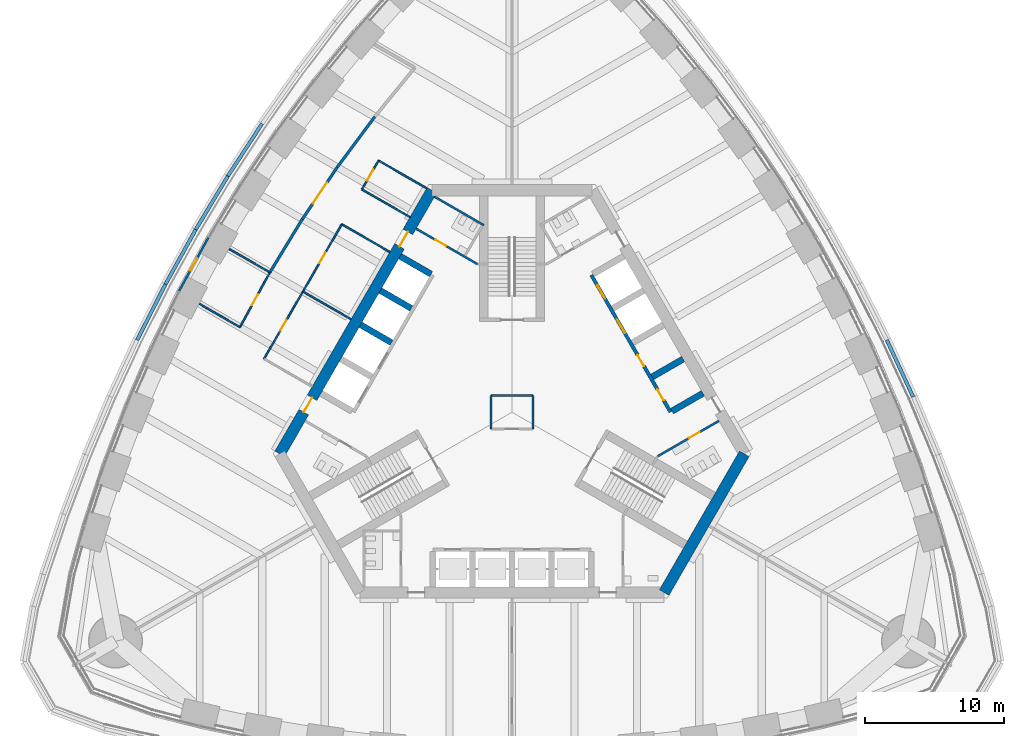
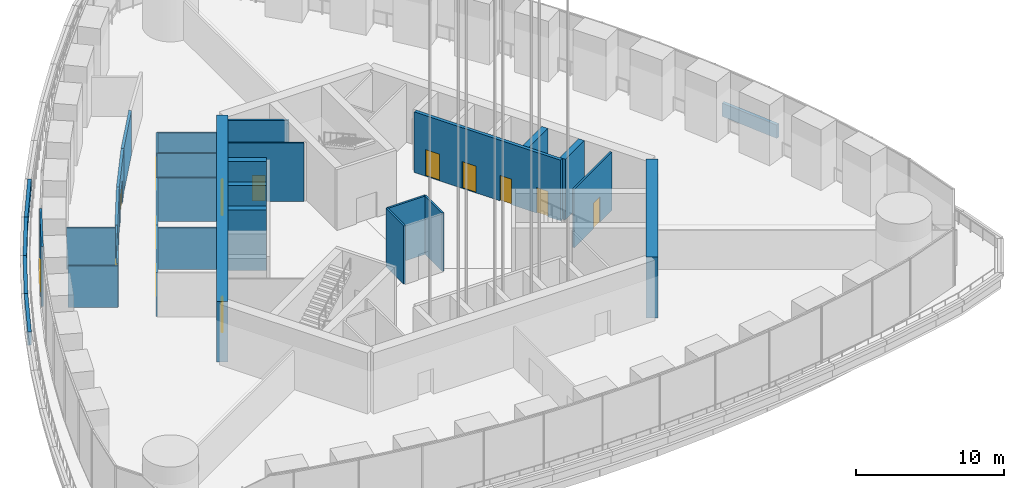
# One storey, part 14 of 31: 33 walls, 14 doors, 14 openings.
"""IFC4 building model written with IfcOpenShell, lengths in metres."""

from ifc_helpers import new_model, si_unit, direction, frame, frame_2d, origin, place, context, subcontext, project, spatial, rectangle, extrude, material, layer, layer_set, type_object, element, fill, save


model = new_model("IFC4")

# Units and contexts
model_context = context("Model", 3, precision=1e-05, world=origin(), true_north=direction((0.0, 1.0)))
body_context = subcontext(model_context, "Body", "Model", "MODEL_VIEW")
ifc_project = project(units=[si_unit("LENGTHUNIT", "METRE"), si_unit("AREAUNIT", "SQUARE_METRE"), si_unit("VOLUMEUNIT", "CUBIC_METRE"), si_unit("PLANEANGLEUNIT", "RADIAN"), si_unit("MASSUNIT", "GRAM", prefix="KILO")], contexts=[model_context])

# Site, building, storey
site_placement = place(None, origin())
site = spatial("IfcSite", under=ifc_project, at=site_placement, CompositionType="ELEMENT")
building_placement = place(site_placement, origin())
building = spatial("IfcBuilding", under=site, at=building_placement, Name="Trefoil Bronze Tower", CompositionType="ELEMENT")
storey_placement = place(building_placement, frame((0.0, 0.0, 184.699951171875)))
storey = spatial("IfcBuildingStorey", under=building, at=storey_placement, Name="L42", CompositionType="ELEMENT", Elevation=184.699951171875)

# Walls
ifc_material_1 = material(Name="Gypsum board on steel studs", Category="steel")
ifc_layer_1 = layer(ifc_material_1, 0.199951171875)
ifc_layer_set_1 = layer_set([ifc_layer_1], Name="Acoustic partition 200")
wall_type_1 = type_object("IfcWallType", Name="Acoustic partition 200", PredefinedType="PARTITIONING", material=ifc_layer_set_1)
wall_1_placement = place(storey_placement, frame((-9.8916015625, 21.29931640625, 0.0), z_axis=(0.0, 0.0, 1.0), x_axis=(-0.596173167565, -0.802855873912, 0.0)))
element("IfcWall", 1, at=wall_1_placement, inside=storey, type_object=wall_type_1, Name="Partition F3 L42", PredefinedType="PARTITIONING", context=body_context, shape_type="SweptSolid", body=[
    extrude(rectangle(XDim=4.530029296875, YDim=0.199951171875, at=frame_2d((2.26513671875, 0.0))), origin(), (0.0, 0.0, 1.0), 3.60009765625),
])
wall_2_placement = place(storey_placement, frame((-15.111328125, 13.920654296875, 0.0), z_axis=(0.0, 0.0, 1.0), x_axis=(-0.519790350351, -0.85429385558, 0.0)))
element("IfcWall", 2, at=wall_2_placement, inside=storey, type_object=wall_type_1, Name="Partition F3 L42", PredefinedType="PARTITIONING", context=body_context, shape_type="SweptSolid", body=[
    extrude(rectangle(XDim=4.5009765625, YDim=0.199951171875, at=frame_2d((2.25048828125, 0.0))), origin(), (0.0, 0.0, 1.0), 3.60009765625),
])

# Wall, opening, door
wall_3_placement = place(storey_placement, frame((-12.59228515625, 17.662353515625, 0.0), z_axis=(0.0, 0.0, 1.0), x_axis=(-0.558466624917, -0.829526991034, 0.0)))
wall_3 = element("IfcWall", 3, at=wall_3_placement, inside=storey, type_object=wall_type_1, Name="Partition F3 L42", PredefinedType="PARTITIONING", context=body_context, shape_type="SweptSolid", body=[
    extrude(rectangle(XDim=4.5107421875, YDim=0.199951171875, at=frame_2d((2.25537109375, 0.0))), origin(), (0.0, 0.0, 1.0), 3.60009765625),
])
opening_1_placement = place(wall_3_placement, frame((1.35009765625, 0.0, 0.0)))
opening_1 = element("IfcOpeningElement", 4, at=opening_1_placement, cuts=wall_3, Name="Opening D10", PredefinedType="OPENING", context=body_context, shape_type="SweptSolid", body=[
    extrude(rectangle(XDim=1.800048828125, YDim=2.10009765625, at=frame_2d((0.89990234375, 1.050048828125))), frame((0.0, 0.10986328125, 0.0), z_axis=(0.0, -1.0, 0.0), x_axis=(1.0, 0.0, 0.0)), (0.0, 0.0, 1.0), 0.219970703125),
])
ifc_material_2 = material(Name="Timber door", Category="wood")
door_type_1 = type_object("IfcDoorType", Name="Double door 1800", OperationType="DOUBLE_DOOR_SINGLE_SWING", PredefinedType="DOOR", material=ifc_material_2)
door_1_placement = place(opening_1_placement, origin())
door_1 = element("IfcDoor", 5, at=door_1_placement, inside=storey, type_object=door_type_1, Name="Studio door F3 L42", OperationType="DOUBLE_DOOR_SINGLE_SWING", OverallHeight=2.10009765625, OverallWidth=1.800048828125, PredefinedType="DOOR", context=body_context, shape_type="SweptSolid", body=[
    extrude(rectangle(XDim=1.800048828125, YDim=2.10009765625, at=frame_2d((0.89990234375, 1.050048828125))), frame((0.0, 0.02490234375, 0.0), z_axis=(0.0, -1.0, 0.0), x_axis=(1.0, 0.0, 0.0)), (0.0, 0.0, 1.0), 0.050048828125),
])
fill(opening_1, door_1)

# Wall
ifc_material_3 = material(Name="Concrete B80", Category="concrete")
ifc_layer_2 = layer(ifc_material_3, 0.800048828125)
ifc_layer_set_2 = layer_set([ifc_layer_2], Name="Core wall 800")
wall_type_2 = type_object("IfcWallType", Name="Core wall 800", PredefinedType="SHEAR", material=ifc_layer_set_2)
wall_4_placement = place(storey_placement, frame((10.9697265625, -13.0, 0.0), z_axis=(0.0, 0.0, 1.0), x_axis=(0.499995765644, 0.866027848477, 0.0)))
element("IfcWall", 6, at=wall_4_placement, inside=storey, type_object=wall_type_2, Name="Core short wall 1 L42", PredefinedType="SHEAR", context=body_context, shape_type="SweptSolid", body=[
    extrude(rectangle(XDim=11.546875, YDim=0.800048828125, at=frame_2d((5.7734375, 0.0))), origin(), (0.0, 0.0, 1.0), 5.0),
])

# Wall, openings, doors
wall_5_placement = place(storey_placement, frame((-5.7734375, 16.0, 0.0), z_axis=(0.0, 0.0, 1.0), x_axis=(-0.500002442456, -0.866023993627, 0.0)))
wall_5 = element("IfcWall", 7, at=wall_5_placement, inside=storey, type_object=wall_type_2, Name="Core long wall 3 L42", PredefinedType="SHEAR", context=body_context, shape_type="SweptSolid", body=[
    extrude(rectangle(XDim=21.939453125, YDim=0.800048828125, at=frame_2d((10.9697265625, 0.0))), origin(), (0.0, 0.0, 1.0), 5.0),
])
opening_2_placement = place(wall_5_placement, frame((17.269775390625, 0.0, 0.0)))
opening_2 = element("IfcOpeningElement", 8, at=opening_2_placement, cuts=wall_5, Name="Opening D2", PredefinedType="OPENING", context=body_context, shape_type="SweptSolid", body=[
    extrude(rectangle(XDim=1.199951171875, YDim=2.10009765625, at=frame_2d((0.60009765625, 1.050048828125))), frame((0.0, 0.409912109375, 0.0), z_axis=(0.0, -1.0, 0.0), x_axis=(1.0, 0.0, 0.0)), (0.0, 0.0, 1.0), 0.820068359375),
])
opening_3_placement = place(wall_5_placement, frame((3.4697265625, 0.0, 0.0)))
opening_3 = element("IfcOpeningElement", 9, at=opening_3_placement, cuts=wall_5, Name="Opening D2", PredefinedType="OPENING", context=body_context, shape_type="SweptSolid", body=[
    extrude(rectangle(XDim=1.199951171875, YDim=2.10009765625, at=frame_2d((0.60009765625, 1.050048828125))), frame((0.0, 0.409912109375, 0.0), z_axis=(0.0, -1.0, 0.0), x_axis=(1.0, 0.0, 0.0)), (0.0, 0.0, 1.0), 0.820068359375),
])
ifc_material_4 = material(Name="Steel door", Category="steel")
door_type_2 = type_object("IfcDoorType", Name="Lobby door 1200", OperationType="SINGLE_SWING_RIGHT", PredefinedType="DOOR", material=ifc_material_4)
door_2_placement = place(opening_2_placement, origin())
door_2 = element("IfcDoor", 10, at=door_2_placement, inside=storey, type_object=door_type_2, Name="Lobby door F3+ L42", OperationType="SINGLE_SWING_RIGHT", OverallHeight=2.10009765625, OverallWidth=1.199951171875, PredefinedType="DOOR", context=body_context, shape_type="SweptSolid", body=[
    extrude(rectangle(XDim=1.199951171875, YDim=2.10009765625, at=frame_2d((0.60009765625, 1.050048828125))), frame((0.0, 0.02490234375, 0.0), z_axis=(0.0, -1.0, 0.0), x_axis=(1.0, 0.0, 0.0)), (0.0, 0.0, 1.0), 0.050048828125),
])
fill(opening_2, door_2)
door_3_placement = place(opening_3_placement, origin())
door_3 = element("IfcDoor", 11, at=door_3_placement, inside=storey, type_object=door_type_2, Name="Lobby door F3- L42", OperationType="SINGLE_SWING_LEFT", OverallHeight=2.10009765625, OverallWidth=1.199951171875, PredefinedType="DOOR", context=body_context, shape_type="SweptSolid", body=[
    extrude(rectangle(XDim=1.199951171875, YDim=2.10009765625, at=frame_2d((0.60009765625, 1.050048828125))), frame((0.0, 0.02490234375, 0.0), z_axis=(0.0, -1.0, 0.0), x_axis=(1.0, 0.0, 0.0)), (0.0, 0.0, 1.0), 0.050048828125),
])
fill(opening_3, door_3)

# Wall, opening, door
ifc_material_5 = material(Name="Bronze-framed glazed screen", Category="glass")
ifc_layer_3 = layer(ifc_material_5, 0.14990234375)
ifc_layer_set_3 = layer_set([ifc_layer_3], Name="Entrance screen 150")
wall_type_3 = type_object("IfcWallType", Name="Entrance screen 150", PredefinedType="SOLIDWALL", material=ifc_layer_set_3)
wall_6_placement = place(storey_placement, frame((-21.885498046875, 12.592529296875, 0.0), z_axis=(0.0, 0.0, 1.0), x_axis=(-0.480009815295, -0.87726311744, 0.0)))
wall_6 = element("IfcWall", 12, at=wall_6_placement, inside=storey, type_object=wall_type_3, Name="Roof access screen CW-D L42 F3", PredefinedType="SOLIDWALL", context=body_context, shape_type="SweptSolid", body=[
    extrude(rectangle(XDim=4.43115234375, YDim=0.14990234375, at=frame_2d((2.215576171875, 0.0))), origin(), (0.0, 0.0, 1.0), 4.97998046875),
])
opening_4_placement = place(wall_6_placement, frame((1.715576171875, 0.0, 0.0)))
opening_4 = element("IfcOpeningElement", 13, at=opening_4_placement, cuts=wall_6, Name="Opening DE5", PredefinedType="OPENING", context=body_context, shape_type="SweptSolid", body=[
    extrude(rectangle(XDim=1.0, YDim=2.10009765625, at=frame_2d((0.5, 1.050048828125))), frame((0.0, 0.0849609375, 0.0), z_axis=(0.0, -1.0, 0.0), x_axis=(1.0, 0.0, 0.0)), (0.0, 0.0, 1.0), 0.169921875),
])
ifc_material_6 = material(Name="Steel door", Category="steel")
door_type_3 = type_object("IfcDoorType", Name="Roof access door 1000", OperationType="SINGLE_SWING_LEFT", PredefinedType="DOOR", material=ifc_material_6)
door_4_placement = place(opening_4_placement, origin())
door_4 = element("IfcDoor", 14, at=door_4_placement, inside=storey, type_object=door_type_3, Name="Roof access door F3 L42", OperationType="SINGLE_SWING_LEFT", OverallHeight=2.10009765625, OverallWidth=1.0, PredefinedType="DOOR", context=body_context, shape_type="SweptSolid", body=[
    extrude(rectangle(XDim=1.0, YDim=2.10009765625, at=frame_2d((0.5, 1.050048828125))), frame((0.0, 0.02490234375, 0.0), z_axis=(0.0, -1.0, 0.0), x_axis=(1.0, 0.0, 0.0)), (0.0, 0.0, 1.0), 0.050048828125),
])
fill(opening_4, door_4)

ifc_material_7 = material(Name="Glazed partition", Category="glass")
ifc_layer_4 = layer(ifc_material_7, 0.1201171875)
ifc_layer_set_4 = layer_set([ifc_layer_4], Name="Glazed partition 120")
wall_type_4 = type_object("IfcWallType", Name="Glazed partition 120", PredefinedType="PARTITIONING", material=ifc_layer_set_4)
wall_7_placement = place(storey_placement, frame((-15.06884765625, 8.699951171875, 0.0), z_axis=(0.0, 0.0, 1.0), x_axis=(-0.500016814911, -0.866015695474, 0.0)))
wall_7 = element("IfcWall", 15, at=wall_7_placement, inside=storey, type_object=wall_type_4, Name="Partition F3 L42", PredefinedType="PARTITIONING", context=body_context, shape_type="SweptSolid", body=[
    extrude(rectangle(XDim=5.599853515625, YDim=0.1201171875, at=frame_2d((2.7998046875, 0.0))), origin(), (0.0, 0.0, 1.0), 3.60009765625),
])
opening_5_placement = place(wall_7_placement, frame((2.35009765625, 0.0, 0.0)))
opening_5 = element("IfcOpeningElement", 16, at=opening_5_placement, cuts=wall_7, Name="Opening D8", PredefinedType="OPENING", context=body_context, shape_type="SweptSolid", body=[
    extrude(rectangle(XDim=0.89990234375, YDim=2.10009765625, at=frame_2d((0.449951171875, 1.050048828125))), frame((0.0, 0.070068359375, 0.0), z_axis=(0.0, -1.0, 0.0), x_axis=(1.0, 0.0, 0.0)), (0.0, 0.0, 1.0), 0.14013671875),
])
ifc_material_8 = material(Name="Timber door", Category="wood")
door_type_4 = type_object("IfcDoorType", Name="Office door 900", OperationType="SINGLE_SWING_LEFT", PredefinedType="DOOR", material=ifc_material_8)
door_5_placement = place(opening_5_placement, origin())
door_5 = element("IfcDoor", 17, at=door_5_placement, inside=storey, type_object=door_type_4, Name="Changing room (women) door F3 L42", OperationType="SINGLE_SWING_RIGHT", OverallHeight=2.10009765625, OverallWidth=0.89990234375, PredefinedType="DOOR", context=body_context, shape_type="SweptSolid", body=[
    extrude(rectangle(XDim=0.89990234375, YDim=2.10009765625, at=frame_2d((0.449951171875, 1.050048828125))), frame((0.0, 0.02490234375, 0.0), z_axis=(0.0, -1.0, 0.0), x_axis=(1.0, 0.0, 0.0)), (0.0, 0.0, 1.0), 0.050048828125),
])
fill(opening_5, door_5)

wall_8_placement = place(storey_placement, frame((-9.618896484375, 18.1396484375, 0.0), z_axis=(0.0, 0.0, 1.0), x_axis=(-0.500001309137, -0.866024647952, 0.0)))
wall_8 = element("IfcWall", 18, at=wall_8_placement, inside=storey, type_object=wall_type_4, Name="Partition F3 L42", PredefinedType="PARTITIONING", context=body_context, shape_type="SweptSolid", body=[
    extrude(rectangle(XDim=2.39990234375, YDim=0.1201171875, at=frame_2d((1.199951171875, 0.0))), origin(), (0.0, 0.0, 1.0), 3.60009765625),
])
opening_6_placement = place(wall_8_placement, frame((0.75, 0.0, 0.0)))
opening_6 = element("IfcOpeningElement", 19, at=opening_6_placement, cuts=wall_8, Name="Opening D8", PredefinedType="OPENING", context=body_context, shape_type="SweptSolid", body=[
    extrude(rectangle(XDim=0.89990234375, YDim=2.10009765625, at=frame_2d((0.449951171875, 1.050048828125))), frame((0.0, 0.070068359375, 0.0), z_axis=(0.0, -1.0, 0.0), x_axis=(1.0, 0.0, 0.0)), (0.0, 0.0, 1.0), 0.14013671875),
])
door_6_placement = place(opening_6_placement, origin())
door_6 = element("IfcDoor", 20, at=door_6_placement, inside=storey, type_object=door_type_4, Name="Store door F3 L42", OperationType="SINGLE_SWING_RIGHT", OverallHeight=2.10009765625, OverallWidth=0.89990234375, PredefinedType="DOOR", context=body_context, shape_type="SweptSolid", body=[
    extrude(rectangle(XDim=0.89990234375, YDim=2.10009765625, at=frame_2d((0.449951171875, 1.050048828125))), frame((0.0, 0.02490234375, 0.0), z_axis=(0.0, -1.0, 0.0), x_axis=(1.0, 0.0, 0.0)), (0.0, 0.0, 1.0), 0.050048828125),
])
fill(opening_6, door_6)

wall_9_placement = place(storey_placement, frame((-12.268798828125, 13.5498046875, 0.0), z_axis=(0.0, 0.0, 1.0), x_axis=(-0.49999793692, -0.866026594901, 0.0)))
wall_9 = element("IfcWall", 21, at=wall_9_placement, inside=storey, type_object=wall_type_4, Name="Partition F3 L42", PredefinedType="PARTITIONING", context=body_context, shape_type="SweptSolid", body=[
    extrude(rectangle(XDim=5.60009765625, YDim=0.1201171875, at=frame_2d((2.800048828125, 0.0))), origin(), (0.0, 0.0, 1.0), 3.60009765625),
])
opening_7_placement = place(wall_9_placement, frame((2.35009765625, 0.0, 0.0)))
opening_7 = element("IfcOpeningElement", 22, at=opening_7_placement, cuts=wall_9, Name="Opening D8", PredefinedType="OPENING", context=body_context, shape_type="SweptSolid", body=[
    extrude(rectangle(XDim=0.89990234375, YDim=2.10009765625, at=frame_2d((0.449951171875, 1.050048828125))), frame((0.0, 0.070068359375, 0.0), z_axis=(0.0, -1.0, 0.0), x_axis=(1.0, 0.0, 0.0)), (0.0, 0.0, 1.0), 0.14013671875),
])
door_7_placement = place(opening_7_placement, origin())
door_7 = element("IfcDoor", 23, at=door_7_placement, inside=storey, type_object=door_type_4, Name="Changing room (men) door F3 L42", OperationType="SINGLE_SWING_RIGHT", OverallHeight=2.10009765625, OverallWidth=0.89990234375, PredefinedType="DOOR", context=body_context, shape_type="SweptSolid", body=[
    extrude(rectangle(XDim=0.89990234375, YDim=2.10009765625, at=frame_2d((0.449951171875, 1.050048828125))), frame((0.0, 0.02490234375, 0.0), z_axis=(0.0, -1.0, 0.0), x_axis=(1.0, 0.0, 0.0)), (0.0, 0.0, 1.0), 0.050048828125),
])
fill(opening_7, door_7)

# Walls
wall_10_placement = place(storey_placement, frame((-11.604736328125, 6.699951171875, 0.0), z_axis=(0.0, 0.0, 1.0), x_axis=(-0.866026010844, 0.49999894854, 0.0)))
element("IfcWall", 24, at=wall_10_placement, inside=storey, type_object=wall_type_4, Name="Partition F3 L42", PredefinedType="PARTITIONING", context=body_context, shape_type="SweptSolid", body=[
    extrude(rectangle(XDim=4.0, YDim=0.1201171875, at=frame_2d((2.0, 0.0))), origin(), (0.0, 0.0, 1.0), 3.400146484375),
])
for number, where, z_axis, x_axis, name in (
    (25, (-6.15478515625, 16.1396484375, 0.0), (0.0, 0.0, 1.0), (-0.866026010844, 0.49999894854, 0.0), "Partition F3 L42"),
    (26, (-8.8046875, 11.5498046875, 0.0), (0.0, 0.0, 1.0), (-0.866026010844, 0.49999894854, 0.0), "Partition F3 L42"),
    (27, (-7.354736328125, 14.061279296875, 0.0), (0.0, 0.0, 1.0), (-0.866026010844, 0.49999894854, 0.0), "Partition F3 L42"),
):
    element("IfcWall", number, at=place(storey_placement, frame(where, z_axis=z_axis, x_axis=x_axis)), inside=storey, type_object=wall_type_4, Name=name, PredefinedType="PARTITIONING", context=body_context, shape_type="SweptSolid", body=[
        extrude(rectangle(XDim=4.0, YDim=0.1201171875, at=frame_2d((2.0, 0.0))), origin(), (0.0, 0.0, 1.0), 3.60009765625),
    ])

# Wall, opening, door
wall_11_placement = place(storey_placement, frame((-17.450927734375, 10.075439453125, 0.0), z_axis=(0.0, 0.0, 1.0), x_axis=(-0.479949984371, -0.877295852322, 0.0)))
wall_11 = element("IfcWall", 28, at=wall_11_placement, inside=storey, type_object=wall_type_4, Name="Partition F3 L42", PredefinedType="PARTITIONING", context=body_context, shape_type="SweptSolid", body=[
    extrude(rectangle(XDim=4.501220703125, YDim=0.1201171875, at=frame_2d((2.25048828125, 0.0))), origin(), (0.0, 0.0, 1.0), 3.60009765625),
])
opening_8_placement = place(wall_11_placement, frame((1.800048828125, 0.0, 0.0)))
opening_8 = element("IfcOpeningElement", 29, at=opening_8_placement, cuts=wall_11, Name="Opening D8", PredefinedType="OPENING", context=body_context, shape_type="SweptSolid", body=[
    extrude(rectangle(XDim=0.89990234375, YDim=2.10009765625, at=frame_2d((0.449951171875, 1.050048828125))), frame((0.0, 0.070068359375, 0.0), z_axis=(0.0, -1.0, 0.0), x_axis=(1.0, 0.0, 0.0)), (0.0, 0.0, 1.0), 0.14013671875),
])
door_8_placement = place(opening_8_placement, frame((0.89990234375, 0.0, 0.0), z_axis=(0.0, 0.0, 1.0), x_axis=(-1.0, 0.0, 0.0)))
door_8 = element("IfcDoor", 30, at=door_8_placement, inside=storey, type_object=door_type_4, Name="Roof access plant room door F3 L42", OperationType="SINGLE_SWING_RIGHT", OverallHeight=2.10009765625, OverallWidth=0.89990234375, PredefinedType="DOOR", context=body_context, shape_type="SweptSolid", body=[
    extrude(rectangle(XDim=0.89990234375, YDim=2.10009765625, at=frame_2d((0.449951171875, 1.050048828125))), frame((0.0, 0.02490234375, 0.0), z_axis=(0.0, -1.0, 0.0), x_axis=(1.0, 0.0, 0.0)), (0.0, 0.0, 1.0), 0.050048828125),
])
fill(opening_8, door_8)

# Walls
wall_12_placement = place(storey_placement, frame((-17.450927734375, 10.075439453125, 0.0), z_axis=(0.0, 0.0, 1.0), x_axis=(-0.866045641059, 0.499964946374, 0.0)))
element("IfcWall", 31, at=wall_12_placement, inside=storey, type_object=wall_type_4, Name="Partition F3 L42", PredefinedType="PARTITIONING", context=body_context, shape_type="SweptSolid", body=[
    extrude(rectangle(XDim=3.369873046875, YDim=0.1201171875, at=frame_2d((1.68505859375, 0.0))), origin(), (0.0, 0.0, 1.0), 3.400146484375),
])
wall_13_placement = place(storey_placement, frame((-19.611328125, 6.12646484375, 0.0), z_axis=(0.0, 0.0, 1.0), x_axis=(-0.866031085144, 0.499990159468, 0.0)))
element("IfcWall", 32, at=wall_13_placement, inside=storey, type_object=wall_type_4, Name="Partition F3 L42", PredefinedType="PARTITIONING", context=body_context, shape_type="SweptSolid", body=[
    extrude(rectangle(XDim=3.3681640625, YDim=0.1201171875, at=frame_2d((1.68408203125, 0.0))), origin(), (0.0, 0.0, 1.0), 3.400146484375),
])
ifc_material_9 = material(Name="Concrete B80", Category="concrete")
ifc_layer_5 = layer(ifc_material_9, 0.449951171875)
ifc_layer_set_5 = layer_set([ifc_layer_5], Name="Outrigger shaft wall 450")
wall_type_5 = type_object("IfcWallType", Name="Outrigger shaft wall 450", PredefinedType="SHEAR", material=ifc_layer_set_5)
for number, where, z_axis, x_axis, name in (
    (33, (11.531982421875, 0.076171875, 0.0), (0.0, 0.0, 1.0), (0.866005588531, 0.500034319456, 0.0), "Lift shaft side wall B0 L42"),
    (34, (10.10693359375, 2.54443359375, 0.0), (0.0, 0.0, 1.0), (0.866046643894, 0.499963209246, 0.0), "Lift shaft side wall B1 L42"),
):
    element("IfcWall", number, at=place(storey_placement, frame(where, z_axis=z_axis, x_axis=x_axis)), inside=storey, type_object=wall_type_5, Name=name, PredefinedType="SHEAR", context=body_context, shape_type="SweptSolid", body=[
        extrude(rectangle(XDim=2.574951171875, YDim=0.449951171875, at=frame_2d((1.28759765625, 0.0))), origin(), (0.0, 0.0, 1.0), 5.0),
    ])
wall_14_placement = place(storey_placement, frame((-5.831787109375, 9.94873046875, 0.0), z_axis=(0.0, 0.0, 1.0), x_axis=(-0.866029291668, 0.499993265928, 0.0)))
element("IfcWall", 35, at=wall_14_placement, inside=storey, type_object=wall_type_5, Name="Lift shaft side wall C0 L42", PredefinedType="SHEAR", context=body_context, shape_type="SweptSolid", body=[
    extrude(rectangle(XDim=2.5751953125, YDim=0.449951171875, at=frame_2d((1.28759765625, 0.0))), origin(), (0.0, 0.0, 1.0), 5.0),
])
for number, where, z_axis, x_axis, name in (
    (36, (-7.2568359375, 7.480712890625, 0.0), (0.0, 0.0, 1.0), (-0.866046643894, 0.499963209246, 0.0), "Lift shaft side wall C1 L42"),
    (37, (-8.681884765625, 5.012451171875, 0.0), (0.0, 0.0, 1.0), (-0.866005588531, 0.500034319456, 0.0), "Lift shaft side wall C2 L42"),
):
    element("IfcWall", number, at=place(storey_placement, frame(where, z_axis=z_axis, x_axis=x_axis)), inside=storey, type_object=wall_type_5, Name=name, PredefinedType="SHEAR", context=body_context, shape_type="SweptSolid", body=[
        extrude(rectangle(XDim=2.574951171875, YDim=0.449951171875, at=frame_2d((1.28759765625, 0.0))), origin(), (0.0, 0.0, 1.0), 5.0),
    ])
ifc_material_10 = material(Name="Concrete B80", Category="concrete")
ifc_layer_6 = layer(ifc_material_10, 0.25)
ifc_layer_set_6 = layer_set([ifc_layer_6], Name="Parapet 250")
wall_type_6 = type_object("IfcWallType", Name="Parapet 250", PredefinedType="PARAPET", material=ifc_layer_set_6)
wall_15_placement = place(storey_placement, frame((28.9140625, 1.10498046875, 0.0), z_axis=(0.0, 0.0, 1.0), x_axis=(-0.41992827805, 0.90755729367, 0.0)))
element("IfcWall", 38, at=wall_15_placement, inside=storey, type_object=wall_type_6, Name="Parapet L42.22", PredefinedType="PARAPET", context=body_context, shape_type="SweptSolid", body=[
    extrude(rectangle(XDim=4.5185546875, YDim=0.25, at=frame_2d((2.25927734375, 0.0))), origin(), (0.0, 0.0, 1.0), 1.10009765625),
])
wall_16_placement = place(storey_placement, frame((-18.0166015625, 20.794189453125, 0.0), z_axis=(0.0, 0.0, 1.0), x_axis=(-0.546069464151, -0.837739900161, 0.0)))
element("IfcWall", 39, at=wall_16_placement, inside=storey, type_object=wall_type_6, Name="Parapet L42.40", PredefinedType="PARAPET", context=body_context, shape_type="SweptSolid", body=[
    extrude(rectangle(XDim=4.506591796875, YDim=0.25, at=frame_2d((2.25341796875, 0.0))), origin(), (0.0, 0.0, 1.0), 1.10009765625),
])
for number, where, z_axis, x_axis, name in (
    (40, (-20.4775390625, 17.018798828125, 0.0), (0.0, 0.0, 1.0), (-0.515548366618, -0.856860479703, 0.0), "Parapet L42.41"),
    (41, (-22.7978515625, 13.162353515625, 0.0), (0.0, 0.0, 1.0), (-0.484292898211, -0.874905931368, 0.0), "Parapet L42.42"),
):
    element("IfcWall", number, at=place(storey_placement, frame(where, z_axis=z_axis, x_axis=x_axis)), inside=storey, type_object=wall_type_6, Name=name, PredefinedType="PARAPET", context=body_context, shape_type="SweptSolid", body=[
        extrude(rectangle(XDim=4.500732421875, YDim=0.25, at=frame_2d((2.25048828125, 0.0))), origin(), (0.0, 0.0, 1.0), 1.10009765625),
    ])
wall_17_placement = place(storey_placement, frame((-24.9775390625, 9.224609375, 0.0), z_axis=(0.0, 0.0, 1.0), x_axis=(-0.452471679136, -0.891778772779, 0.0)))
element("IfcWall", 42, at=wall_17_placement, inside=storey, type_object=wall_type_6, Name="Parapet L42.43", PredefinedType="PARAPET", context=body_context, shape_type="SweptSolid", body=[
    extrude(rectangle(XDim=4.506591796875, YDim=0.25, at=frame_2d((2.25341796875, 0.0))), origin(), (0.0, 0.0, 1.0), 1.10009765625),
])

# Wall, opening, door
ifc_material_11 = material(Name="Gypsum board on steel studs", Category="steel")
ifc_layer_7 = layer(ifc_material_11, 0.14990234375)
ifc_layer_set_7 = layer_set([ifc_layer_7], Name="Partition 150")
wall_type_7 = type_object("IfcWallType", Name="Partition 150", PredefinedType="PARTITIONING", material=ifc_layer_set_7)
wall_18_placement = place(storey_placement, frame((10.4951171875, -3.17822265625, 0.0), z_axis=(0.0, 0.0, 1.0), x_axis=(0.86602216432, 0.500005610874, 0.0)))
wall_18 = element("IfcWall", 43, at=wall_18_placement, inside=storey, type_object=wall_type_7, Name="Passage wall F2- L42", PredefinedType="PARTITIONING", context=body_context, shape_type="SweptSolid", body=[
    extrude(rectangle(XDim=5.10009765625, YDim=0.14990234375, at=frame_2d((2.550048828125, 0.0))), origin(), (0.0, 0.0, 1.0), 4.800048828125),
])
opening_9_placement = place(wall_18_placement, frame((2.60009765625, 0.0, 0.0)))
opening_9 = element("IfcOpeningElement", 44, at=opening_9_placement, cuts=wall_18, Name="Opening D3", PredefinedType="OPENING", context=body_context, shape_type="SweptSolid", body=[
    extrude(rectangle(XDim=0.89990234375, YDim=2.10009765625, at=frame_2d((0.449951171875, 1.050048828125))), frame((0.0, 0.0849609375, 0.0), z_axis=(0.0, -1.0, 0.0), x_axis=(1.0, 0.0, 0.0)), (0.0, 0.0, 1.0), 0.169921875),
])
ifc_material_12 = material(Name="Timber door", Category="wood")
door_type_5 = type_object("IfcDoorType", Name="WC door 900", OperationType="SINGLE_SWING_LEFT", PredefinedType="DOOR", material=ifc_material_12)
door_9_placement = place(opening_9_placement, frame((0.89990234375, 0.0, 0.0), z_axis=(0.0, 0.0, 1.0), x_axis=(-1.0, 0.0, 0.0)))
door_9 = element("IfcDoor", 45, at=door_9_placement, inside=storey, type_object=door_type_5, Name="WC (women) door L42", OperationType="SINGLE_SWING_LEFT", OverallHeight=2.10009765625, OverallWidth=0.89990234375, PredefinedType="DOOR", context=body_context, shape_type="SweptSolid", body=[
    extrude(rectangle(XDim=0.89990234375, YDim=2.10009765625, at=frame_2d((0.449951171875, 1.050048828125))), frame((0.0, 0.02490234375, 0.0), z_axis=(0.0, -1.0, 0.0), x_axis=(1.0, 0.0, 0.0)), (0.0, 0.0, 1.0), 0.050048828125),
])
fill(opening_9, door_9)

wall_19_placement = place(storey_placement, frame((-2.4951171875, 10.67822265625, 0.0), z_axis=(0.0, 0.0, 1.0), x_axis=(-0.86602216432, 0.500005610874, 0.0)))
wall_19 = element("IfcWall", 46, at=wall_19_placement, inside=storey, type_object=wall_type_7, Name="Passage wall F3- L42", PredefinedType="PARTITIONING", context=body_context, shape_type="SweptSolid", body=[
    extrude(rectangle(XDim=5.10009765625, YDim=0.14990234375, at=frame_2d((2.550048828125, 0.0))), origin(), (0.0, 0.0, 1.0), 4.800048828125),
])
opening_10_placement = place(wall_19_placement, frame((2.60009765625, 0.0, 0.0)))
opening_10 = element("IfcOpeningElement", 47, at=opening_10_placement, cuts=wall_19, Name="Opening D3", PredefinedType="OPENING", context=body_context, shape_type="SweptSolid", body=[
    extrude(rectangle(XDim=0.89990234375, YDim=2.10009765625, at=frame_2d((0.449951171875, 1.050048828125))), frame((0.0, 0.0849609375, 0.0), z_axis=(0.0, -1.0, 0.0), x_axis=(1.0, 0.0, 0.0)), (0.0, 0.0, 1.0), 0.169921875),
])
door_10_placement = place(opening_10_placement, frame((0.89990234375, 0.0, 0.0), z_axis=(0.0, 0.0, 1.0), x_axis=(-1.0, 0.0, 0.0)))
door_10 = element("IfcDoor", 48, at=door_10_placement, inside=storey, type_object=door_type_5, Name="WC (women) door L42", OperationType="SINGLE_SWING_RIGHT", OverallHeight=2.10009765625, OverallWidth=0.89990234375, PredefinedType="DOOR", context=body_context, shape_type="SweptSolid", body=[
    extrude(rectangle(XDim=0.89990234375, YDim=2.10009765625, at=frame_2d((0.449951171875, 1.050048828125))), frame((0.0, 0.02490234375, 0.0), z_axis=(0.0, -1.0, 0.0), x_axis=(1.0, 0.0, 0.0)), (0.0, 0.0, 1.0), 0.050048828125),
])
fill(opening_10, door_10)

# Walls
wall_20_placement = place(storey_placement, frame((-2.03125, 13.48193359375, 0.0), z_axis=(0.0, 0.0, 1.0), x_axis=(-0.866050731258, 0.499956128963, 0.0)))
element("IfcWall", 49, at=wall_20_placement, inside=storey, type_object=wall_type_7, Name="WC partition WC (women) L42", PredefinedType="PARTITIONING", context=body_context, shape_type="SweptSolid", body=[
    extrude(rectangle(XDim=4.099853515625, YDim=0.14990234375, at=frame_2d((2.0498046875, 0.0))), origin(), (0.0, 0.0, 1.0), 4.800048828125),
])
ifc_material_13 = material(Name="Gypsum board on steel studs", Category="steel")
ifc_layer_8 = layer(ifc_material_13, 0.14990234375)
ifc_layer_set_8 = layer_set([ifc_layer_8], Name="Riser wall 150")
wall_type_8 = type_object("IfcWallType", Name="Riser wall 150", PredefinedType="PARTITIONING", material=ifc_layer_set_8)
wall_21_placement = place(storey_placement, frame((1.5, -1.199951171875, 0.0), z_axis=(0.0, 0.0, 1.0), x_axis=(0.0, 1.0, 0.0)))
element("IfcWall", 50, at=wall_21_placement, inside=storey, type_object=wall_type_8, Name="Riser wall L42", PredefinedType="PARTITIONING", context=body_context, shape_type="SweptSolid", body=[
    extrude(rectangle(XDim=2.39990234375, YDim=0.14990234375, at=frame_2d((1.199951171875, 0.0))), origin(), (0.0, 0.0, 1.0), 4.800048828125),
])
wall_22_placement = place(storey_placement, frame((1.5, 1.199951171875, 0.0), z_axis=(0.0, 0.0, 1.0), x_axis=(-1.0, 0.0, 0.0)))
element("IfcWall", 51, at=wall_22_placement, inside=storey, type_object=wall_type_8, Name="Riser wall L42", PredefinedType="PARTITIONING", context=body_context, shape_type="SweptSolid", body=[
    extrude(rectangle(XDim=3.0, YDim=0.14990234375, at=frame_2d((1.5, 0.0))), origin(), (0.0, 0.0, 1.0), 4.800048828125),
])
wall_23_placement = place(storey_placement, frame((-1.5, 1.199951171875, 0.0), z_axis=(0.0, 0.0, 1.0), x_axis=(0.0, -1.0, 0.0)))
element("IfcWall", 52, at=wall_23_placement, inside=storey, type_object=wall_type_8, Name="Riser wall L42", PredefinedType="PARTITIONING", context=body_context, shape_type="SweptSolid", body=[
    extrude(rectangle(XDim=2.39990234375, YDim=0.14990234375, at=frame_2d((1.199951171875, 0.0))), origin(), (0.0, 0.0, 1.0), 4.800048828125),
])

# Wall, openings, doors
ifc_material_14 = material(Name="Concrete B80", Category="concrete")
ifc_layer_9 = layer(ifc_material_14, 0.25)
ifc_layer_set_9 = layer_set([ifc_layer_9], Name="Shaft wall 250")
wall_type_9 = type_object("IfcWallType", Name="Shaft wall 250", PredefinedType="SHEAR", material=ifc_layer_set_9)
wall_24_placement = place(storey_placement, frame((11.423583984375, 0.013671875, 0.0), z_axis=(0.0, 0.0, 1.0), x_axis=(-0.500001763848, 0.866024385424, 0.0)))
wall_24 = element("IfcWall", 53, at=wall_24_placement, inside=storey, type_object=wall_type_9, Name="Lift shaft front wall B L42", PredefinedType="SHEAR", context=body_context, shape_type="SweptSolid", body=[
    extrude(rectangle(XDim=11.39990234375, YDim=0.25, at=frame_2d((5.699951171875, 0.0))), origin(), (0.0, 0.0, 1.0), 5.0),
])
opening_11_placement = place(wall_24_placement, frame((0.97509765625, 0.0, 0.0)))
opening_11 = element("IfcOpeningElement", 54, at=opening_11_placement, cuts=wall_24, Name="Opening D12", PredefinedType="OPENING", context=body_context, shape_type="SweptSolid", body=[
    extrude(rectangle(XDim=0.89990234375, YDim=2.10009765625, at=frame_2d((0.449951171875, 1.050048828125))), frame((0.0, 0.135009765625, 0.0), z_axis=(0.0, -1.0, 0.0), x_axis=(1.0, 0.0, 0.0)), (0.0, 0.0, 1.0), 0.27001953125),
])
opening_12_placement = place(wall_24_placement, frame((3.824951171875, 0.0, 0.0)))
opening_12 = element("IfcOpeningElement", 55, at=opening_12_placement, cuts=wall_24, Name="Opening D12", PredefinedType="OPENING", context=body_context, shape_type="SweptSolid", body=[
    extrude(rectangle(XDim=0.89990234375, YDim=2.10009765625, at=frame_2d((0.449951171875, 1.050048828125))), frame((0.0, 0.135009765625, 0.0), z_axis=(0.0, -1.0, 0.0), x_axis=(1.0, 0.0, 0.0)), (0.0, 0.0, 1.0), 0.27001953125),
])
opening_13_placement = place(wall_24_placement, frame((6.574951171875, 0.0, 0.0)))
opening_13 = element("IfcOpeningElement", 56, at=opening_13_placement, cuts=wall_24, Name="Opening LD-S3", PredefinedType="OPENING", context=body_context, shape_type="SweptSolid", body=[
    extrude(rectangle(XDim=1.10009765625, YDim=2.199951171875, at=frame_2d((0.550048828125, 1.10009765625))), frame((0.0, 0.135009765625, 0.0), z_axis=(0.0, -1.0, 0.0), x_axis=(1.0, 0.0, 0.0)), (0.0, 0.0, 1.0), 0.27001953125),
])
opening_14_placement = place(wall_24_placement, frame((9.425048828125, 0.0, 0.0)))
opening_14 = element("IfcOpeningElement", 57, at=opening_14_placement, cuts=wall_24, Name="Opening LD-S4", PredefinedType="OPENING", context=body_context, shape_type="SweptSolid", body=[
    extrude(rectangle(XDim=1.10009765625, YDim=2.199951171875, at=frame_2d((0.550048828125, 1.10009765625))), frame((0.0, 0.135009765625, 0.0), z_axis=(0.0, -1.0, 0.0), x_axis=(1.0, 0.0, 0.0)), (0.0, 0.0, 1.0), 0.27001953125),
])
ifc_material_15 = material(Name="Steel door", Category="steel")
door_type_6 = type_object("IfcDoorType", Name="Lift landing door 1100", OperationType="DOUBLE_DOOR_SLIDING", PredefinedType="DOOR", material=ifc_material_15)
door_11_placement = place(opening_13_placement, origin())
door_11 = element("IfcDoor", 58, at=door_11_placement, inside=storey, type_object=door_type_6, Name="Lift S3 landing door L42", OperationType="DOUBLE_DOOR_SLIDING", OverallHeight=2.199951171875, OverallWidth=1.10009765625, PredefinedType="DOOR", context=body_context, shape_type="SweptSolid", body=[
    extrude(rectangle(XDim=1.10009765625, YDim=2.199951171875, at=frame_2d((0.550048828125, 1.10009765625))), frame((0.0, 0.02490234375, 0.0), z_axis=(0.0, -1.0, 0.0), x_axis=(1.0, 0.0, 0.0)), (0.0, 0.0, 1.0), 0.050048828125),
])
fill(opening_13, door_11)
door_12_placement = place(opening_14_placement, origin())
door_12 = element("IfcDoor", 59, at=door_12_placement, inside=storey, type_object=door_type_6, Name="Lift S4 landing door L42", OperationType="DOUBLE_DOOR_SLIDING", OverallHeight=2.199951171875, OverallWidth=1.10009765625, PredefinedType="DOOR", context=body_context, shape_type="SweptSolid", body=[
    extrude(rectangle(XDim=1.10009765625, YDim=2.199951171875, at=frame_2d((0.550048828125, 1.10009765625))), frame((0.0, 0.02490234375, 0.0), z_axis=(0.0, -1.0, 0.0), x_axis=(1.0, 0.0, 0.0)), (0.0, 0.0, 1.0), 0.050048828125),
])
fill(opening_14, door_12)
ifc_material_16 = material(Name="Steel door", Category="steel")
door_type_7 = type_object("IfcDoorType", Name="Shaft room door 900", OperationType="SINGLE_SWING_LEFT", PredefinedType="DOOR", material=ifc_material_16)
door_13_placement = place(opening_11_placement, frame((0.89990234375, 0.0, 0.0), z_axis=(0.0, 0.0, 1.0), x_axis=(-1.0, 0.0, 0.0)))
door_13 = element("IfcDoor", 60, at=door_13_placement, inside=storey, type_object=door_type_7, Name="Shaft room door B1 L42", OperationType="SINGLE_SWING_LEFT", OverallHeight=2.10009765625, OverallWidth=0.89990234375, PredefinedType="DOOR", context=body_context, shape_type="SweptSolid", body=[
    extrude(rectangle(XDim=0.89990234375, YDim=2.10009765625, at=frame_2d((0.449951171875, 1.050048828125))), frame((0.0, 0.02490234375, 0.0), z_axis=(0.0, -1.0, 0.0), x_axis=(1.0, 0.0, 0.0)), (0.0, 0.0, 1.0), 0.050048828125),
])
fill(opening_11, door_13)
door_14_placement = place(opening_12_placement, frame((0.89990234375, 0.0, 0.0), z_axis=(0.0, 0.0, 1.0), x_axis=(-1.0, 0.0, 0.0)))
door_14 = element("IfcDoor", 61, at=door_14_placement, inside=storey, type_object=door_type_7, Name="Shaft room door B2 L42", OperationType="SINGLE_SWING_RIGHT", OverallHeight=2.10009765625, OverallWidth=0.89990234375, PredefinedType="DOOR", context=body_context, shape_type="SweptSolid", body=[
    extrude(rectangle(XDim=0.89990234375, YDim=2.10009765625, at=frame_2d((0.449951171875, 1.050048828125))), frame((0.0, 0.02490234375, 0.0), z_axis=(0.0, -1.0, 0.0), x_axis=(1.0, 0.0, 0.0)), (0.0, 0.0, 1.0), 0.050048828125),
])
fill(opening_12, door_14)

save(model, "model.ifc")
